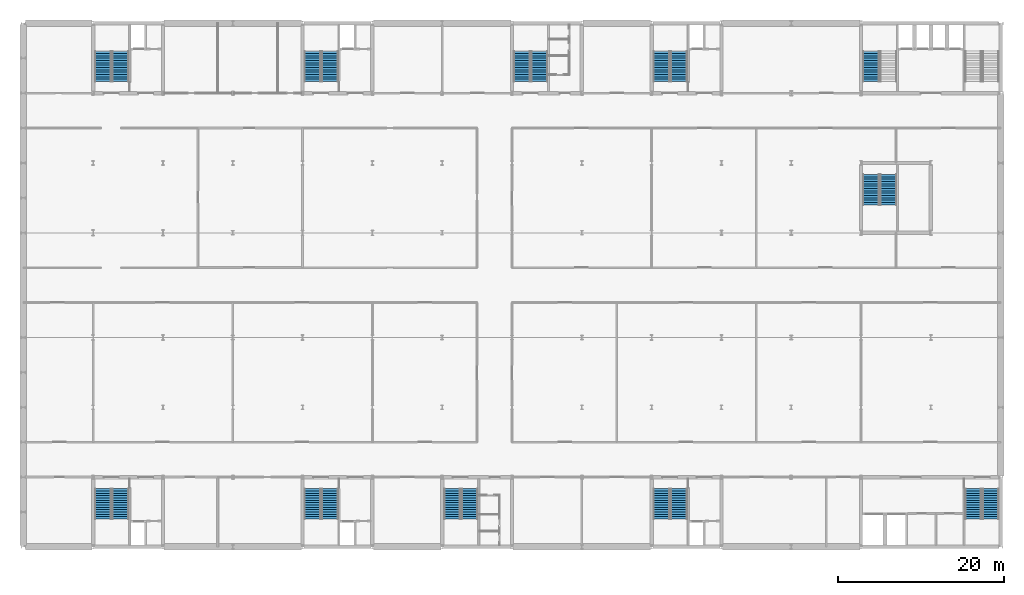
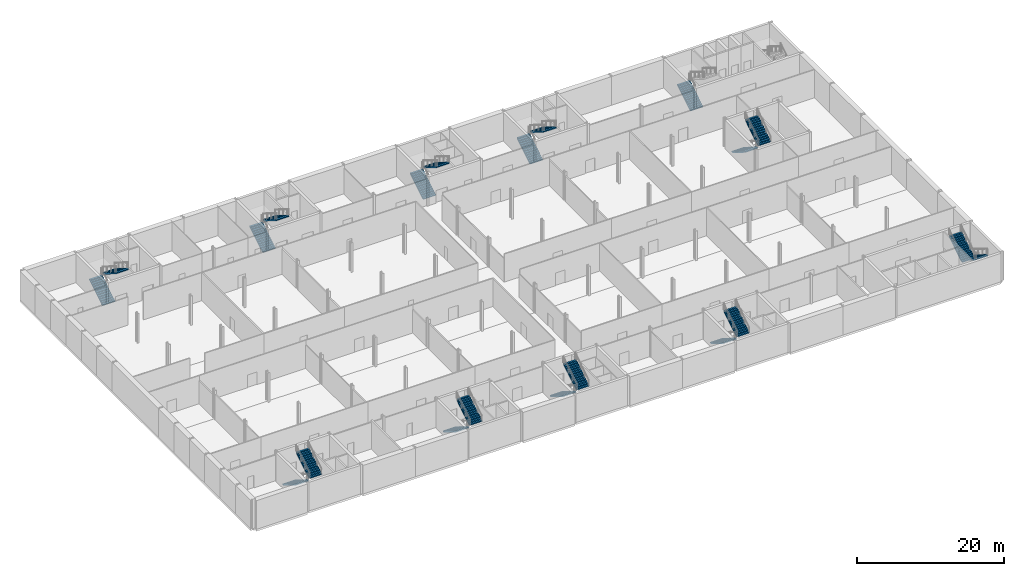
# One storey, part 18 of 20: 21 stair flights, 11 elements without a shape of their own.
"""IFC4 building model written with IfcOpenShell, lengths in metres."""

from ifc_helpers import new_model, si_unit, direction, frame, origin, place, context, subcontext, project, spatial, polyline, outline, extrude, material, type_object, element, aggregate, save


model = new_model("IFC4")

# Units and contexts
model_context = context("Model", 3, precision=1e-05, world=origin(), true_north=direction((0.0, 1.0)))
body_context = subcontext(model_context, "Body", "Model", "MODEL_VIEW")
ifc_project = project(units=[si_unit("LENGTHUNIT", "METRE"), si_unit("AREAUNIT", "SQUARE_METRE"), si_unit("VOLUMEUNIT", "CUBIC_METRE"), si_unit("PLANEANGLEUNIT", "RADIAN"), si_unit("MASSUNIT", "GRAM", prefix="KILO")], contexts=[model_context])

# Site, building, storey
site_placement = place(None, origin())
site = spatial("IfcSite", under=ifc_project, at=site_placement, CompositionType="ELEMENT")
building_placement = place(site_placement, origin())
building = spatial("IfcBuilding", under=site, at=building_placement, Name="Galleria Vessillo Department Store", CompositionType="ELEMENT")
storey_placement = place(building_placement, frame((0.0, 0.0, -4.89990234375)))
storey = spatial("IfcBuildingStorey", under=building, at=storey_placement, Name="B1", CompositionType="ELEMENT", Elevation=-4.89990234375)

# Stair, stair flights
ifc_material_1 = material(Name="Concrete C32/40", Category="concrete")
stair_type = type_object("IfcStairType", Name="Half-turn escape stair 2000 mm, 28 risers of 175 mm", PredefinedType="HALF_TURN_STAIR", material=ifc_material_1)
stair_1_placement = place(storey_placement, origin())
stair_1 = element("IfcStair", 1, at=stair_1_placement, inside=storey, type_object=stair_type, Name="Stair ST1 B1", PredefinedType="HALF_TURN_STAIR")
ifc_material_2 = material(Name="Concrete C32/40", Category="concrete")
stair_flight_type = type_object("IfcStairFlightType", Name="Stair flight 2000 mm, 14 risers of 175 mm", PredefinedType="STRAIGHT", material=ifc_material_2)
stair_flight_1_placement = place(storey_placement, frame((9.60009765625, 7.00048828125, 0.0), z_axis=(0.0, 0.0, 1.0), x_axis=(0.0, -1.0, 0.0)))
stair_flight_1 = element("IfcStairFlight", 2, at=stair_flight_1_placement, type_object=stair_flight_type, Name="ST1 flight 1", NumberOfRisers=14, NumberOfTreads=13, PredefinedType="STRAIGHT", RiserHeight=0.175, TreadLength=0.28, context=body_context, shape_type="SweptSolid", body=[
    extrude(outline(polyline([(0.0, 0.0), (0.0, 0.175048828125), (0.280029296875, 0.175048828125), (0.280029296875, 0.35009765625), (0.56005859375, 0.35009765625), (0.56005859375, 0.52490234375), (0.840087890625, 0.52490234375), (0.840087890625, 0.699951171875), (1.1201171875, 0.699951171875), (1.1201171875, 0.875), (1.39990234375, 0.875), (1.39990234375, 1.050048828125), (1.679931640625, 1.050048828125), (1.679931640625, 1.22509765625), (1.9599609375, 1.22509765625), (1.9599609375, 1.39990234375), (2.239990234375, 1.39990234375), (2.239990234375, 1.574951171875), (2.52001953125, 1.574951171875), (2.52001953125, 1.75), (2.800048828125, 1.75), (2.800048828125, 1.925048828125), (3.080078125, 1.925048828125), (3.080078125, 2.10009765625), (3.360107421875, 2.10009765625), (3.360107421875, 2.27490234375), (3.639892578125, 2.27490234375), (3.639892578125, 2.449951171875), (3.639892578125, 2.09814453125), (0.28271484375, 0.0), (0.0, 0.0)])), frame((0.0, 1.0, 0.0), z_axis=(0.0, -1.0, 0.0), x_axis=(1.0, 0.0, 0.0)), (0.0, 0.0, 1.0), 2.0),
])
stair_flight_2_placement = place(storey_placement, frame((11.699951171875, 3.360595703125, 2.449951171875), z_axis=(0.0, 0.0, 1.0), x_axis=(0.0, 1.0, 0.0)))
stair_flight_2 = element("IfcStairFlight", 3, at=stair_flight_2_placement, type_object=stair_flight_type, Name="ST1 flight 2", NumberOfRisers=14, NumberOfTreads=13, PredefinedType="STRAIGHT", RiserHeight=0.175, TreadLength=0.28, context=body_context, shape_type="SweptSolid", body=[
    extrude(outline(polyline([(0.0, 0.0), (0.0, 0.175048828125), (0.280029296875, 0.175048828125), (0.280029296875, 0.35009765625), (0.56005859375, 0.35009765625), (0.56005859375, 0.52490234375), (0.840087890625, 0.52490234375), (0.840087890625, 0.699951171875), (1.1201171875, 0.699951171875), (1.1201171875, 0.875), (1.39990234375, 0.875), (1.39990234375, 1.050048828125), (1.679931640625, 1.050048828125), (1.679931640625, 1.22509765625), (1.9599609375, 1.22509765625), (1.9599609375, 1.39990234375), (2.239990234375, 1.39990234375), (2.239990234375, 1.574951171875), (2.52001953125, 1.574951171875), (2.52001953125, 1.75), (2.800048828125, 1.75), (2.800048828125, 1.925048828125), (3.080078125, 1.925048828125), (3.080078125, 2.10009765625), (3.360107421875, 2.10009765625), (3.360107421875, 2.27490234375), (3.639892578125, 2.27490234375), (3.639892578125, 2.449951171875), (3.639892578125, 2.09814453125), (0.28271484375, 0.0), (0.0, 0.0)])), frame((0.0, 1.0, 0.0), z_axis=(0.0, -1.0, 0.0), x_axis=(1.0, 0.0, 0.0)), (0.0, 0.0, 1.0), 2.0),
])
aggregate(stair_1, [stair_flight_1, stair_flight_2])

stair_2_placement = place(storey_placement, origin())
stair_2 = element("IfcStair", 4, at=stair_2_placement, inside=storey, type_object=stair_type, Name="Stair ST2 B1", PredefinedType="HALF_TURN_STAIR")
stair_flight_3_placement = place(storey_placement, frame((9.60009765625, 55.99951171875, 0.0), z_axis=(0.0, 0.0, 1.0), x_axis=(0.0, 1.0, 0.0)))
stair_flight_3 = element("IfcStairFlight", 5, at=stair_flight_3_placement, type_object=stair_flight_type, Name="ST2 flight 1", NumberOfRisers=14, NumberOfTreads=13, PredefinedType="STRAIGHT", RiserHeight=0.175, TreadLength=0.28, context=body_context, shape_type="SweptSolid", body=[
    extrude(outline(polyline([(0.0, 0.0), (0.0, 0.175048828125), (0.280029296875, 0.175048828125), (0.280029296875, 0.35009765625), (0.56005859375, 0.35009765625), (0.56005859375, 0.52490234375), (0.840087890625, 0.52490234375), (0.840087890625, 0.699951171875), (1.1201171875, 0.699951171875), (1.1201171875, 0.875), (1.39990234375, 0.875), (1.39990234375, 1.050048828125), (1.679931640625, 1.050048828125), (1.679931640625, 1.22509765625), (1.9599609375, 1.22509765625), (1.9599609375, 1.39990234375), (2.239990234375, 1.39990234375), (2.239990234375, 1.574951171875), (2.52001953125, 1.574951171875), (2.52001953125, 1.75), (2.800048828125, 1.75), (2.800048828125, 1.925048828125), (3.080078125, 1.925048828125), (3.080078125, 2.10009765625), (3.360107421875, 2.10009765625), (3.360107421875, 2.27490234375), (3.639892578125, 2.27490234375), (3.639892578125, 2.449951171875), (3.639892578125, 2.09814453125), (0.28271484375, 0.0), (0.0, 0.0)])), frame((0.0, 1.0, 0.0), z_axis=(0.0, -1.0, 0.0), x_axis=(1.0, 0.0, 0.0)), (0.0, 0.0, 1.0), 2.0),
])
stair_flight_4_placement = place(storey_placement, frame((11.699951171875, 59.639404296875, 2.449951171875), z_axis=(0.0, 0.0, 1.0), x_axis=(0.0, -1.0, 0.0)))
stair_flight_4 = element("IfcStairFlight", 6, at=stair_flight_4_placement, type_object=stair_flight_type, Name="ST2 flight 2", NumberOfRisers=14, NumberOfTreads=13, PredefinedType="STRAIGHT", RiserHeight=0.175, TreadLength=0.28, context=body_context, shape_type="SweptSolid", body=[
    extrude(outline(polyline([(0.0, 0.0), (0.0, 0.175048828125), (0.280029296875, 0.175048828125), (0.280029296875, 0.35009765625), (0.56005859375, 0.35009765625), (0.56005859375, 0.52490234375), (0.840087890625, 0.52490234375), (0.840087890625, 0.699951171875), (1.1201171875, 0.699951171875), (1.1201171875, 0.875), (1.39990234375, 0.875), (1.39990234375, 1.050048828125), (1.679931640625, 1.050048828125), (1.679931640625, 1.22509765625), (1.9599609375, 1.22509765625), (1.9599609375, 1.39990234375), (2.239990234375, 1.39990234375), (2.239990234375, 1.574951171875), (2.52001953125, 1.574951171875), (2.52001953125, 1.75), (2.800048828125, 1.75), (2.800048828125, 1.925048828125), (3.080078125, 1.925048828125), (3.080078125, 2.10009765625), (3.360107421875, 2.10009765625), (3.360107421875, 2.27490234375), (3.639892578125, 2.27490234375), (3.639892578125, 2.449951171875), (3.639892578125, 2.09814453125), (0.28271484375, 0.0), (0.0, 0.0)])), frame((0.0, 1.0, 0.0), z_axis=(0.0, -1.0, 0.0), x_axis=(1.0, 0.0, 0.0)), (0.0, 0.0, 1.0), 2.0),
])
aggregate(stair_2, [stair_flight_3, stair_flight_4])

stair_3_placement = place(storey_placement, origin())
stair_3 = element("IfcStair", 7, at=stair_3_placement, inside=storey, type_object=stair_type, Name="Stair ST3 B1", PredefinedType="HALF_TURN_STAIR")
stair_flight_5_placement = place(storey_placement, frame((34.800048828125, 7.00048828125, 0.0), z_axis=(0.0, 0.0, 1.0), x_axis=(0.0, -1.0, 0.0)))
stair_flight_5 = element("IfcStairFlight", 8, at=stair_flight_5_placement, type_object=stair_flight_type, Name="ST3 flight 1", NumberOfRisers=14, NumberOfTreads=13, PredefinedType="STRAIGHT", RiserHeight=0.175, TreadLength=0.28, context=body_context, shape_type="SweptSolid", body=[
    extrude(outline(polyline([(0.0, 0.0), (0.0, 0.175048828125), (0.280029296875, 0.175048828125), (0.280029296875, 0.35009765625), (0.56005859375, 0.35009765625), (0.56005859375, 0.52490234375), (0.840087890625, 0.52490234375), (0.840087890625, 0.699951171875), (1.1201171875, 0.699951171875), (1.1201171875, 0.875), (1.39990234375, 0.875), (1.39990234375, 1.050048828125), (1.679931640625, 1.050048828125), (1.679931640625, 1.22509765625), (1.9599609375, 1.22509765625), (1.9599609375, 1.39990234375), (2.239990234375, 1.39990234375), (2.239990234375, 1.574951171875), (2.52001953125, 1.574951171875), (2.52001953125, 1.75), (2.800048828125, 1.75), (2.800048828125, 1.925048828125), (3.080078125, 1.925048828125), (3.080078125, 2.10009765625), (3.360107421875, 2.10009765625), (3.360107421875, 2.27490234375), (3.639892578125, 2.27490234375), (3.639892578125, 2.449951171875), (3.639892578125, 2.09814453125), (0.28271484375, 0.0), (0.0, 0.0)])), frame((0.0, 1.0, 0.0), z_axis=(0.0, -1.0, 0.0), x_axis=(1.0, 0.0, 0.0)), (0.0, 0.0, 1.0), 2.0),
])
stair_flight_6_placement = place(storey_placement, frame((36.89990234375, 3.360595703125, 2.449951171875), z_axis=(0.0, 0.0, 1.0), x_axis=(0.0, 1.0, 0.0)))
stair_flight_6 = element("IfcStairFlight", 9, at=stair_flight_6_placement, type_object=stair_flight_type, Name="ST3 flight 2", NumberOfRisers=14, NumberOfTreads=13, PredefinedType="STRAIGHT", RiserHeight=0.175, TreadLength=0.28, context=body_context, shape_type="SweptSolid", body=[
    extrude(outline(polyline([(0.0, 0.0), (0.0, 0.175048828125), (0.280029296875, 0.175048828125), (0.280029296875, 0.35009765625), (0.56005859375, 0.35009765625), (0.56005859375, 0.52490234375), (0.840087890625, 0.52490234375), (0.840087890625, 0.699951171875), (1.1201171875, 0.699951171875), (1.1201171875, 0.875), (1.39990234375, 0.875), (1.39990234375, 1.050048828125), (1.679931640625, 1.050048828125), (1.679931640625, 1.22509765625), (1.9599609375, 1.22509765625), (1.9599609375, 1.39990234375), (2.239990234375, 1.39990234375), (2.239990234375, 1.574951171875), (2.52001953125, 1.574951171875), (2.52001953125, 1.75), (2.800048828125, 1.75), (2.800048828125, 1.925048828125), (3.080078125, 1.925048828125), (3.080078125, 2.10009765625), (3.360107421875, 2.10009765625), (3.360107421875, 2.27490234375), (3.639892578125, 2.27490234375), (3.639892578125, 2.449951171875), (3.639892578125, 2.09814453125), (0.28271484375, 0.0), (0.0, 0.0)])), frame((0.0, 1.0, 0.0), z_axis=(0.0, -1.0, 0.0), x_axis=(1.0, 0.0, 0.0)), (0.0, 0.0, 1.0), 2.0),
])
aggregate(stair_3, [stair_flight_5, stair_flight_6])

stair_4_placement = place(storey_placement, origin())
stair_4 = element("IfcStair", 10, at=stair_4_placement, inside=storey, type_object=stair_type, Name="Stair ST4 B1", PredefinedType="HALF_TURN_STAIR")
stair_flight_7_placement = place(storey_placement, frame((34.800048828125, 55.99951171875, 0.0), z_axis=(0.0, 0.0, 1.0), x_axis=(0.0, 1.0, 0.0)))
stair_flight_7 = element("IfcStairFlight", 11, at=stair_flight_7_placement, type_object=stair_flight_type, Name="ST4 flight 1", NumberOfRisers=14, NumberOfTreads=13, PredefinedType="STRAIGHT", RiserHeight=0.175, TreadLength=0.28, context=body_context, shape_type="SweptSolid", body=[
    extrude(outline(polyline([(0.0, 0.0), (0.0, 0.175048828125), (0.280029296875, 0.175048828125), (0.280029296875, 0.35009765625), (0.56005859375, 0.35009765625), (0.56005859375, 0.52490234375), (0.840087890625, 0.52490234375), (0.840087890625, 0.699951171875), (1.1201171875, 0.699951171875), (1.1201171875, 0.875), (1.39990234375, 0.875), (1.39990234375, 1.050048828125), (1.679931640625, 1.050048828125), (1.679931640625, 1.22509765625), (1.9599609375, 1.22509765625), (1.9599609375, 1.39990234375), (2.239990234375, 1.39990234375), (2.239990234375, 1.574951171875), (2.52001953125, 1.574951171875), (2.52001953125, 1.75), (2.800048828125, 1.75), (2.800048828125, 1.925048828125), (3.080078125, 1.925048828125), (3.080078125, 2.10009765625), (3.360107421875, 2.10009765625), (3.360107421875, 2.27490234375), (3.639892578125, 2.27490234375), (3.639892578125, 2.449951171875), (3.639892578125, 2.09814453125), (0.28271484375, 0.0), (0.0, 0.0)])), frame((0.0, 1.0, 0.0), z_axis=(0.0, -1.0, 0.0), x_axis=(1.0, 0.0, 0.0)), (0.0, 0.0, 1.0), 2.0),
])
stair_flight_8_placement = place(storey_placement, frame((36.89990234375, 59.639404296875, 2.449951171875), z_axis=(0.0, 0.0, 1.0), x_axis=(0.0, -1.0, 0.0)))
stair_flight_8 = element("IfcStairFlight", 12, at=stair_flight_8_placement, type_object=stair_flight_type, Name="ST4 flight 2", NumberOfRisers=14, NumberOfTreads=13, PredefinedType="STRAIGHT", RiserHeight=0.175, TreadLength=0.28, context=body_context, shape_type="SweptSolid", body=[
    extrude(outline(polyline([(0.0, 0.0), (0.0, 0.175048828125), (0.280029296875, 0.175048828125), (0.280029296875, 0.35009765625), (0.56005859375, 0.35009765625), (0.56005859375, 0.52490234375), (0.840087890625, 0.52490234375), (0.840087890625, 0.699951171875), (1.1201171875, 0.699951171875), (1.1201171875, 0.875), (1.39990234375, 0.875), (1.39990234375, 1.050048828125), (1.679931640625, 1.050048828125), (1.679931640625, 1.22509765625), (1.9599609375, 1.22509765625), (1.9599609375, 1.39990234375), (2.239990234375, 1.39990234375), (2.239990234375, 1.574951171875), (2.52001953125, 1.574951171875), (2.52001953125, 1.75), (2.800048828125, 1.75), (2.800048828125, 1.925048828125), (3.080078125, 1.925048828125), (3.080078125, 2.10009765625), (3.360107421875, 2.10009765625), (3.360107421875, 2.27490234375), (3.639892578125, 2.27490234375), (3.639892578125, 2.449951171875), (3.639892578125, 2.09814453125), (0.28271484375, 0.0), (0.0, 0.0)])), frame((0.0, 1.0, 0.0), z_axis=(0.0, -1.0, 0.0), x_axis=(1.0, 0.0, 0.0)), (0.0, 0.0, 1.0), 2.0),
])
aggregate(stair_4, [stair_flight_7, stair_flight_8])

stair_5_placement = place(storey_placement, origin())
stair_5 = element("IfcStair", 13, at=stair_5_placement, inside=storey, type_object=stair_type, Name="Stair ST5 B1", PredefinedType="HALF_TURN_STAIR")
stair_flight_9_placement = place(storey_placement, frame((76.800048828125, 7.00048828125, 0.0), z_axis=(0.0, 0.0, 1.0), x_axis=(0.0, -1.0, 0.0)))
stair_flight_9 = element("IfcStairFlight", 14, at=stair_flight_9_placement, type_object=stair_flight_type, Name="ST5 flight 1", NumberOfRisers=14, NumberOfTreads=13, PredefinedType="STRAIGHT", RiserHeight=0.175, TreadLength=0.28, context=body_context, shape_type="SweptSolid", body=[
    extrude(outline(polyline([(0.0, 0.0), (0.0, 0.175048828125), (0.280029296875, 0.175048828125), (0.280029296875, 0.35009765625), (0.56005859375, 0.35009765625), (0.56005859375, 0.52490234375), (0.840087890625, 0.52490234375), (0.840087890625, 0.699951171875), (1.1201171875, 0.699951171875), (1.1201171875, 0.875), (1.39990234375, 0.875), (1.39990234375, 1.050048828125), (1.679931640625, 1.050048828125), (1.679931640625, 1.22509765625), (1.9599609375, 1.22509765625), (1.9599609375, 1.39990234375), (2.239990234375, 1.39990234375), (2.239990234375, 1.574951171875), (2.52001953125, 1.574951171875), (2.52001953125, 1.75), (2.800048828125, 1.75), (2.800048828125, 1.925048828125), (3.080078125, 1.925048828125), (3.080078125, 2.10009765625), (3.360107421875, 2.10009765625), (3.360107421875, 2.27490234375), (3.639892578125, 2.27490234375), (3.639892578125, 2.449951171875), (3.639892578125, 2.09814453125), (0.28271484375, 0.0), (0.0, 0.0)])), frame((0.0, 1.0, 0.0), z_axis=(0.0, -1.0, 0.0), x_axis=(1.0, 0.0, 0.0)), (0.0, 0.0, 1.0), 2.0),
])
stair_flight_10_placement = place(storey_placement, frame((78.89990234375, 3.360595703125, 2.449951171875), z_axis=(0.0, 0.0, 1.0), x_axis=(0.0, 1.0, 0.0)))
stair_flight_10 = element("IfcStairFlight", 15, at=stair_flight_10_placement, type_object=stair_flight_type, Name="ST5 flight 2", NumberOfRisers=14, NumberOfTreads=13, PredefinedType="STRAIGHT", RiserHeight=0.175, TreadLength=0.28, context=body_context, shape_type="SweptSolid", body=[
    extrude(outline(polyline([(0.0, 0.0), (0.0, 0.175048828125), (0.280029296875, 0.175048828125), (0.280029296875, 0.35009765625), (0.56005859375, 0.35009765625), (0.56005859375, 0.52490234375), (0.840087890625, 0.52490234375), (0.840087890625, 0.699951171875), (1.1201171875, 0.699951171875), (1.1201171875, 0.875), (1.39990234375, 0.875), (1.39990234375, 1.050048828125), (1.679931640625, 1.050048828125), (1.679931640625, 1.22509765625), (1.9599609375, 1.22509765625), (1.9599609375, 1.39990234375), (2.239990234375, 1.39990234375), (2.239990234375, 1.574951171875), (2.52001953125, 1.574951171875), (2.52001953125, 1.75), (2.800048828125, 1.75), (2.800048828125, 1.925048828125), (3.080078125, 1.925048828125), (3.080078125, 2.10009765625), (3.360107421875, 2.10009765625), (3.360107421875, 2.27490234375), (3.639892578125, 2.27490234375), (3.639892578125, 2.449951171875), (3.639892578125, 2.09814453125), (0.28271484375, 0.0), (0.0, 0.0)])), frame((0.0, 1.0, 0.0), z_axis=(0.0, -1.0, 0.0), x_axis=(1.0, 0.0, 0.0)), (0.0, 0.0, 1.0), 2.0),
])
aggregate(stair_5, [stair_flight_9, stair_flight_10])

stair_6_placement = place(storey_placement, origin())
stair_6 = element("IfcStair", 16, at=stair_6_placement, inside=storey, type_object=stair_type, Name="Stair ST6 B1", PredefinedType="HALF_TURN_STAIR")
stair_flight_11_placement = place(storey_placement, frame((76.800048828125, 55.99951171875, 0.0), z_axis=(0.0, 0.0, 1.0), x_axis=(0.0, 1.0, 0.0)))
stair_flight_11 = element("IfcStairFlight", 17, at=stair_flight_11_placement, type_object=stair_flight_type, Name="ST6 flight 1", NumberOfRisers=14, NumberOfTreads=13, PredefinedType="STRAIGHT", RiserHeight=0.175, TreadLength=0.28, context=body_context, shape_type="SweptSolid", body=[
    extrude(outline(polyline([(0.0, 0.0), (0.0, 0.175048828125), (0.280029296875, 0.175048828125), (0.280029296875, 0.35009765625), (0.56005859375, 0.35009765625), (0.56005859375, 0.52490234375), (0.840087890625, 0.52490234375), (0.840087890625, 0.699951171875), (1.1201171875, 0.699951171875), (1.1201171875, 0.875), (1.39990234375, 0.875), (1.39990234375, 1.050048828125), (1.679931640625, 1.050048828125), (1.679931640625, 1.22509765625), (1.9599609375, 1.22509765625), (1.9599609375, 1.39990234375), (2.239990234375, 1.39990234375), (2.239990234375, 1.574951171875), (2.52001953125, 1.574951171875), (2.52001953125, 1.75), (2.800048828125, 1.75), (2.800048828125, 1.925048828125), (3.080078125, 1.925048828125), (3.080078125, 2.10009765625), (3.360107421875, 2.10009765625), (3.360107421875, 2.27490234375), (3.639892578125, 2.27490234375), (3.639892578125, 2.449951171875), (3.639892578125, 2.09814453125), (0.28271484375, 0.0), (0.0, 0.0)])), frame((0.0, 1.0, 0.0), z_axis=(0.0, -1.0, 0.0), x_axis=(1.0, 0.0, 0.0)), (0.0, 0.0, 1.0), 2.0),
])
stair_flight_12_placement = place(storey_placement, frame((78.89990234375, 59.639404296875, 2.449951171875), z_axis=(0.0, 0.0, 1.0), x_axis=(0.0, -1.0, 0.0)))
stair_flight_12 = element("IfcStairFlight", 18, at=stair_flight_12_placement, type_object=stair_flight_type, Name="ST6 flight 2", NumberOfRisers=14, NumberOfTreads=13, PredefinedType="STRAIGHT", RiserHeight=0.175, TreadLength=0.28, context=body_context, shape_type="SweptSolid", body=[
    extrude(outline(polyline([(0.0, 0.0), (0.0, 0.175048828125), (0.280029296875, 0.175048828125), (0.280029296875, 0.35009765625), (0.56005859375, 0.35009765625), (0.56005859375, 0.52490234375), (0.840087890625, 0.52490234375), (0.840087890625, 0.699951171875), (1.1201171875, 0.699951171875), (1.1201171875, 0.875), (1.39990234375, 0.875), (1.39990234375, 1.050048828125), (1.679931640625, 1.050048828125), (1.679931640625, 1.22509765625), (1.9599609375, 1.22509765625), (1.9599609375, 1.39990234375), (2.239990234375, 1.39990234375), (2.239990234375, 1.574951171875), (2.52001953125, 1.574951171875), (2.52001953125, 1.75), (2.800048828125, 1.75), (2.800048828125, 1.925048828125), (3.080078125, 1.925048828125), (3.080078125, 2.10009765625), (3.360107421875, 2.10009765625), (3.360107421875, 2.27490234375), (3.639892578125, 2.27490234375), (3.639892578125, 2.449951171875), (3.639892578125, 2.09814453125), (0.28271484375, 0.0), (0.0, 0.0)])), frame((0.0, 1.0, 0.0), z_axis=(0.0, -1.0, 0.0), x_axis=(1.0, 0.0, 0.0)), (0.0, 0.0, 1.0), 2.0),
])
aggregate(stair_6, [stair_flight_11, stair_flight_12])

stair_7_placement = place(storey_placement, origin())
stair_7 = element("IfcStair", 19, at=stair_7_placement, inside=storey, type_object=stair_type, Name="Stair ST10 B1", PredefinedType="HALF_TURN_STAIR")
stair_flight_13_placement = place(storey_placement, frame((51.60009765625, 7.00048828125, 0.0), z_axis=(0.0, 0.0, 1.0), x_axis=(0.0, -1.0, 0.0)))
stair_flight_13 = element("IfcStairFlight", 20, at=stair_flight_13_placement, type_object=stair_flight_type, Name="ST10 flight 1", NumberOfRisers=14, NumberOfTreads=13, PredefinedType="STRAIGHT", RiserHeight=0.175, TreadLength=0.28, context=body_context, shape_type="SweptSolid", body=[
    extrude(outline(polyline([(0.0, 0.0), (0.0, 0.175048828125), (0.280029296875, 0.175048828125), (0.280029296875, 0.35009765625), (0.56005859375, 0.35009765625), (0.56005859375, 0.52490234375), (0.840087890625, 0.52490234375), (0.840087890625, 0.699951171875), (1.1201171875, 0.699951171875), (1.1201171875, 0.875), (1.39990234375, 0.875), (1.39990234375, 1.050048828125), (1.679931640625, 1.050048828125), (1.679931640625, 1.22509765625), (1.9599609375, 1.22509765625), (1.9599609375, 1.39990234375), (2.239990234375, 1.39990234375), (2.239990234375, 1.574951171875), (2.52001953125, 1.574951171875), (2.52001953125, 1.75), (2.800048828125, 1.75), (2.800048828125, 1.925048828125), (3.080078125, 1.925048828125), (3.080078125, 2.10009765625), (3.360107421875, 2.10009765625), (3.360107421875, 2.27490234375), (3.639892578125, 2.27490234375), (3.639892578125, 2.449951171875), (3.639892578125, 2.09814453125), (0.28271484375, 0.0), (0.0, 0.0)])), frame((0.0, 1.0, 0.0), z_axis=(0.0, -1.0, 0.0), x_axis=(1.0, 0.0, 0.0)), (0.0, 0.0, 1.0), 2.0),
])
stair_flight_14_placement = place(storey_placement, frame((53.699951171875, 3.360595703125, 2.449951171875), z_axis=(0.0, 0.0, 1.0), x_axis=(0.0, 1.0, 0.0)))
stair_flight_14 = element("IfcStairFlight", 21, at=stair_flight_14_placement, type_object=stair_flight_type, Name="ST10 flight 2", NumberOfRisers=14, NumberOfTreads=13, PredefinedType="STRAIGHT", RiserHeight=0.175, TreadLength=0.28, context=body_context, shape_type="SweptSolid", body=[
    extrude(outline(polyline([(0.0, 0.0), (0.0, 0.175048828125), (0.280029296875, 0.175048828125), (0.280029296875, 0.35009765625), (0.56005859375, 0.35009765625), (0.56005859375, 0.52490234375), (0.840087890625, 0.52490234375), (0.840087890625, 0.699951171875), (1.1201171875, 0.699951171875), (1.1201171875, 0.875), (1.39990234375, 0.875), (1.39990234375, 1.050048828125), (1.679931640625, 1.050048828125), (1.679931640625, 1.22509765625), (1.9599609375, 1.22509765625), (1.9599609375, 1.39990234375), (2.239990234375, 1.39990234375), (2.239990234375, 1.574951171875), (2.52001953125, 1.574951171875), (2.52001953125, 1.75), (2.800048828125, 1.75), (2.800048828125, 1.925048828125), (3.080078125, 1.925048828125), (3.080078125, 2.10009765625), (3.360107421875, 2.10009765625), (3.360107421875, 2.27490234375), (3.639892578125, 2.27490234375), (3.639892578125, 2.449951171875), (3.639892578125, 2.09814453125), (0.28271484375, 0.0), (0.0, 0.0)])), frame((0.0, 1.0, 0.0), z_axis=(0.0, -1.0, 0.0), x_axis=(1.0, 0.0, 0.0)), (0.0, 0.0, 1.0), 2.0),
])
aggregate(stair_7, [stair_flight_13, stair_flight_14])

stair_8_placement = place(storey_placement, origin())
stair_8 = element("IfcStair", 22, at=stair_8_placement, inside=storey, type_object=stair_type, Name="Stair ST11 B1", PredefinedType="HALF_TURN_STAIR")
stair_flight_15_placement = place(storey_placement, frame((60.0, 55.99951171875, 0.0), z_axis=(0.0, 0.0, 1.0), x_axis=(0.0, 1.0, 0.0)))
stair_flight_15 = element("IfcStairFlight", 23, at=stair_flight_15_placement, type_object=stair_flight_type, Name="ST11 flight 1", NumberOfRisers=14, NumberOfTreads=13, PredefinedType="STRAIGHT", RiserHeight=0.175, TreadLength=0.28, context=body_context, shape_type="SweptSolid", body=[
    extrude(outline(polyline([(0.0, 0.0), (0.0, 0.175048828125), (0.280029296875, 0.175048828125), (0.280029296875, 0.35009765625), (0.56005859375, 0.35009765625), (0.56005859375, 0.52490234375), (0.840087890625, 0.52490234375), (0.840087890625, 0.699951171875), (1.1201171875, 0.699951171875), (1.1201171875, 0.875), (1.39990234375, 0.875), (1.39990234375, 1.050048828125), (1.679931640625, 1.050048828125), (1.679931640625, 1.22509765625), (1.9599609375, 1.22509765625), (1.9599609375, 1.39990234375), (2.239990234375, 1.39990234375), (2.239990234375, 1.574951171875), (2.52001953125, 1.574951171875), (2.52001953125, 1.75), (2.800048828125, 1.75), (2.800048828125, 1.925048828125), (3.080078125, 1.925048828125), (3.080078125, 2.10009765625), (3.360107421875, 2.10009765625), (3.360107421875, 2.27490234375), (3.639892578125, 2.27490234375), (3.639892578125, 2.449951171875), (3.639892578125, 2.09814453125), (0.28271484375, 0.0), (0.0, 0.0)])), frame((0.0, 1.0, 0.0), z_axis=(0.0, -1.0, 0.0), x_axis=(1.0, 0.0, 0.0)), (0.0, 0.0, 1.0), 2.0),
])
stair_flight_16_placement = place(storey_placement, frame((62.10009765625, 59.639404296875, 2.449951171875), z_axis=(0.0, 0.0, 1.0), x_axis=(0.0, -1.0, 0.0)))
stair_flight_16 = element("IfcStairFlight", 24, at=stair_flight_16_placement, type_object=stair_flight_type, Name="ST11 flight 2", NumberOfRisers=14, NumberOfTreads=13, PredefinedType="STRAIGHT", RiserHeight=0.175, TreadLength=0.28, context=body_context, shape_type="SweptSolid", body=[
    extrude(outline(polyline([(0.0, 0.0), (0.0, 0.175048828125), (0.280029296875, 0.175048828125), (0.280029296875, 0.35009765625), (0.56005859375, 0.35009765625), (0.56005859375, 0.52490234375), (0.840087890625, 0.52490234375), (0.840087890625, 0.699951171875), (1.1201171875, 0.699951171875), (1.1201171875, 0.875), (1.39990234375, 0.875), (1.39990234375, 1.050048828125), (1.679931640625, 1.050048828125), (1.679931640625, 1.22509765625), (1.9599609375, 1.22509765625), (1.9599609375, 1.39990234375), (2.239990234375, 1.39990234375), (2.239990234375, 1.574951171875), (2.52001953125, 1.574951171875), (2.52001953125, 1.75), (2.800048828125, 1.75), (2.800048828125, 1.925048828125), (3.080078125, 1.925048828125), (3.080078125, 2.10009765625), (3.360107421875, 2.10009765625), (3.360107421875, 2.27490234375), (3.639892578125, 2.27490234375), (3.639892578125, 2.449951171875), (3.639892578125, 2.09814453125), (0.28271484375, 0.0), (0.0, 0.0)])), frame((0.0, 1.0, 0.0), z_axis=(0.0, -1.0, 0.0), x_axis=(1.0, 0.0, 0.0)), (0.0, 0.0, 1.0), 2.0),
])
aggregate(stair_8, [stair_flight_15, stair_flight_16])

stair_9_placement = place(storey_placement, origin())
stair_9 = element("IfcStair", 25, at=stair_9_placement, inside=storey, type_object=stair_type, Name="Stair ST7 B1", PredefinedType="HALF_TURN_STAIR")
stair_flight_17_placement = place(storey_placement, frame((116.39990234375, 7.00048828125, 0.0), z_axis=(0.0, 0.0, 1.0), x_axis=(0.0, -1.0, 0.0)))
stair_flight_17 = element("IfcStairFlight", 26, at=stair_flight_17_placement, type_object=stair_flight_type, Name="ST7 flight 1", NumberOfRisers=14, NumberOfTreads=13, PredefinedType="STRAIGHT", RiserHeight=0.175, TreadLength=0.28, context=body_context, shape_type="SweptSolid", body=[
    extrude(outline(polyline([(0.0, 0.0), (0.0, 0.175048828125), (0.280029296875, 0.175048828125), (0.280029296875, 0.35009765625), (0.56005859375, 0.35009765625), (0.56005859375, 0.52490234375), (0.840087890625, 0.52490234375), (0.840087890625, 0.699951171875), (1.1201171875, 0.699951171875), (1.1201171875, 0.875), (1.39990234375, 0.875), (1.39990234375, 1.050048828125), (1.679931640625, 1.050048828125), (1.679931640625, 1.22509765625), (1.9599609375, 1.22509765625), (1.9599609375, 1.39990234375), (2.239990234375, 1.39990234375), (2.239990234375, 1.574951171875), (2.52001953125, 1.574951171875), (2.52001953125, 1.75), (2.800048828125, 1.75), (2.800048828125, 1.925048828125), (3.080078125, 1.925048828125), (3.080078125, 2.10009765625), (3.360107421875, 2.10009765625), (3.360107421875, 2.27490234375), (3.639892578125, 2.27490234375), (3.639892578125, 2.449951171875), (3.639892578125, 2.09814453125), (0.28271484375, 0.0), (0.0, 0.0)])), frame((0.0, 1.0, 0.0), z_axis=(0.0, -1.0, 0.0), x_axis=(1.0, 0.0, 0.0)), (0.0, 0.0, 1.0), 2.0),
])
stair_flight_18_placement = place(storey_placement, frame((114.300048828125, 3.360595703125, 2.449951171875), z_axis=(0.0, 0.0, 1.0), x_axis=(0.0, 1.0, 0.0)))
stair_flight_18 = element("IfcStairFlight", 27, at=stair_flight_18_placement, type_object=stair_flight_type, Name="ST7 flight 2", NumberOfRisers=14, NumberOfTreads=13, PredefinedType="STRAIGHT", RiserHeight=0.175, TreadLength=0.28, context=body_context, shape_type="SweptSolid", body=[
    extrude(outline(polyline([(0.0, 0.0), (0.0, 0.175048828125), (0.280029296875, 0.175048828125), (0.280029296875, 0.35009765625), (0.56005859375, 0.35009765625), (0.56005859375, 0.52490234375), (0.840087890625, 0.52490234375), (0.840087890625, 0.699951171875), (1.1201171875, 0.699951171875), (1.1201171875, 0.875), (1.39990234375, 0.875), (1.39990234375, 1.050048828125), (1.679931640625, 1.050048828125), (1.679931640625, 1.22509765625), (1.9599609375, 1.22509765625), (1.9599609375, 1.39990234375), (2.239990234375, 1.39990234375), (2.239990234375, 1.574951171875), (2.52001953125, 1.574951171875), (2.52001953125, 1.75), (2.800048828125, 1.75), (2.800048828125, 1.925048828125), (3.080078125, 1.925048828125), (3.080078125, 2.10009765625), (3.360107421875, 2.10009765625), (3.360107421875, 2.27490234375), (3.639892578125, 2.27490234375), (3.639892578125, 2.449951171875), (3.639892578125, 2.09814453125), (0.28271484375, 0.0), (0.0, 0.0)])), frame((0.0, 1.0, 0.0), z_axis=(0.0, -1.0, 0.0), x_axis=(1.0, 0.0, 0.0)), (0.0, 0.0, 1.0), 2.0),
])
aggregate(stair_9, [stair_flight_17, stair_flight_18])

# Stair, stair flight
stair_10_placement = place(storey_placement, origin())
stair_10 = element("IfcStair", 28, at=stair_10_placement, inside=storey, type_object=stair_type, Name="Stair ST8 B1", PredefinedType="HALF_TURN_STAIR")
stair_flight_19_placement = place(storey_placement, frame((102.0, 55.99951171875, 0.0), z_axis=(0.0, 0.0, 1.0), x_axis=(0.0, 1.0, 0.0)))
stair_flight_19 = element("IfcStairFlight", 29, at=stair_flight_19_placement, type_object=stair_flight_type, Name="ST8 flight 1", NumberOfRisers=14, NumberOfTreads=13, PredefinedType="STRAIGHT", RiserHeight=0.175, TreadLength=0.28, context=body_context, shape_type="SweptSolid", body=[
    extrude(outline(polyline([(0.0, 0.0), (0.0, 0.175048828125), (0.280029296875, 0.175048828125), (0.280029296875, 0.35009765625), (0.56005859375, 0.35009765625), (0.56005859375, 0.52490234375), (0.840087890625, 0.52490234375), (0.840087890625, 0.699951171875), (1.1201171875, 0.699951171875), (1.1201171875, 0.875), (1.39990234375, 0.875), (1.39990234375, 1.050048828125), (1.679931640625, 1.050048828125), (1.679931640625, 1.22509765625), (1.9599609375, 1.22509765625), (1.9599609375, 1.39990234375), (2.239990234375, 1.39990234375), (2.239990234375, 1.574951171875), (2.52001953125, 1.574951171875), (2.52001953125, 1.75), (2.800048828125, 1.75), (2.800048828125, 1.925048828125), (3.080078125, 1.925048828125), (3.080078125, 2.10009765625), (3.360107421875, 2.10009765625), (3.360107421875, 2.27490234375), (3.639892578125, 2.27490234375), (3.639892578125, 2.449951171875), (3.639892578125, 2.09814453125), (0.28271484375, 0.0), (0.0, 0.0)])), frame((0.0, 1.0, 0.0), z_axis=(0.0, -1.0, 0.0), x_axis=(1.0, 0.0, 0.0)), (0.0, 0.0, 1.0), 2.0),
])
aggregate(stair_10, [stair_flight_19])

# Stair, stair flights
stair_11_placement = place(storey_placement, origin())
stair_11 = element("IfcStair", 30, at=stair_11_placement, inside=storey, type_object=stair_type, Name="Stair ST12 B1", PredefinedType="HALF_TURN_STAIR")
stair_flight_20_placement = place(storey_placement, frame((102.0, 44.800537109375, 0.0), z_axis=(0.0, 0.0, 1.0), x_axis=(0.0, -1.0, 0.0)))
stair_flight_20 = element("IfcStairFlight", 31, at=stair_flight_20_placement, type_object=stair_flight_type, Name="ST12 flight 1", NumberOfRisers=14, NumberOfTreads=13, PredefinedType="STRAIGHT", RiserHeight=0.175, TreadLength=0.28, context=body_context, shape_type="SweptSolid", body=[
    extrude(outline(polyline([(0.0, 0.0), (0.0, 0.175048828125), (0.280029296875, 0.175048828125), (0.280029296875, 0.35009765625), (0.56005859375, 0.35009765625), (0.56005859375, 0.52490234375), (0.840087890625, 0.52490234375), (0.840087890625, 0.699951171875), (1.1201171875, 0.699951171875), (1.1201171875, 0.875), (1.39990234375, 0.875), (1.39990234375, 1.050048828125), (1.679931640625, 1.050048828125), (1.679931640625, 1.22509765625), (1.9599609375, 1.22509765625), (1.9599609375, 1.39990234375), (2.239990234375, 1.39990234375), (2.239990234375, 1.574951171875), (2.52001953125, 1.574951171875), (2.52001953125, 1.75), (2.800048828125, 1.75), (2.800048828125, 1.925048828125), (3.080078125, 1.925048828125), (3.080078125, 2.10009765625), (3.360107421875, 2.10009765625), (3.360107421875, 2.27490234375), (3.639892578125, 2.27490234375), (3.639892578125, 2.449951171875), (3.639892578125, 2.09814453125), (0.28271484375, 0.0), (0.0, 0.0)])), frame((0.0, 1.0, 0.0), z_axis=(0.0, -1.0, 0.0), x_axis=(1.0, 0.0, 0.0)), (0.0, 0.0, 1.0), 2.0),
])
stair_flight_21_placement = place(storey_placement, frame((104.10009765625, 41.160400390625, 2.449951171875), z_axis=(0.0, 0.0, 1.0), x_axis=(0.0, 1.0, 0.0)))
stair_flight_21 = element("IfcStairFlight", 32, at=stair_flight_21_placement, type_object=stair_flight_type, Name="ST12 flight 2", NumberOfRisers=14, NumberOfTreads=13, PredefinedType="STRAIGHT", RiserHeight=0.175, TreadLength=0.28, context=body_context, shape_type="SweptSolid", body=[
    extrude(outline(polyline([(0.0, 0.0), (0.0, 0.175048828125), (0.280029296875, 0.175048828125), (0.280029296875, 0.35009765625), (0.56005859375, 0.35009765625), (0.56005859375, 0.52490234375), (0.840087890625, 0.52490234375), (0.840087890625, 0.699951171875), (1.1201171875, 0.699951171875), (1.1201171875, 0.875), (1.39990234375, 0.875), (1.39990234375, 1.050048828125), (1.679931640625, 1.050048828125), (1.679931640625, 1.22509765625), (1.9599609375, 1.22509765625), (1.9599609375, 1.39990234375), (2.239990234375, 1.39990234375), (2.239990234375, 1.574951171875), (2.52001953125, 1.574951171875), (2.52001953125, 1.75), (2.800048828125, 1.75), (2.800048828125, 1.925048828125), (3.080078125, 1.925048828125), (3.080078125, 2.10009765625), (3.360107421875, 2.10009765625), (3.360107421875, 2.27490234375), (3.639892578125, 2.27490234375), (3.639892578125, 2.449951171875), (3.639892578125, 2.09814453125), (0.28271484375, 0.0), (0.0, 0.0)])), frame((0.0, 1.0, 0.0), z_axis=(0.0, -1.0, 0.0), x_axis=(1.0, 0.0, 0.0)), (0.0, 0.0, 1.0), 2.0),
])
aggregate(stair_11, [stair_flight_20, stair_flight_21])

save(model, "model.ifc")
